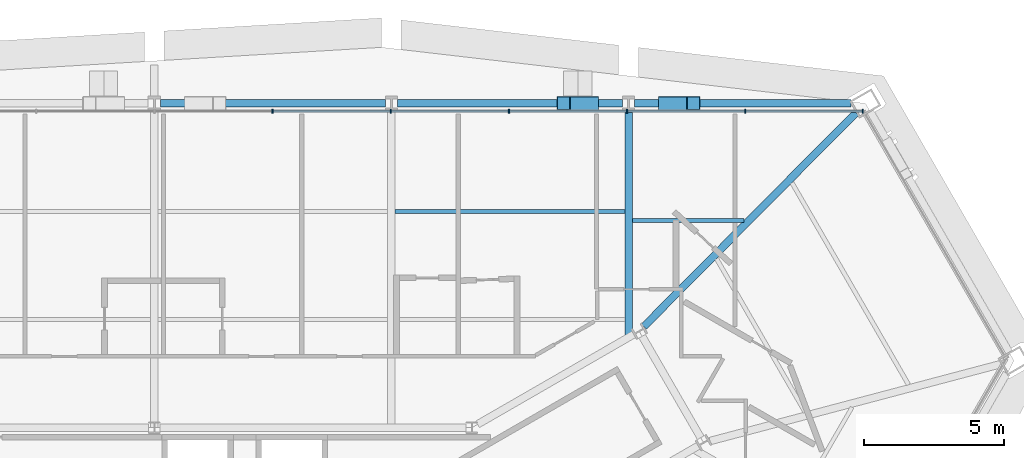
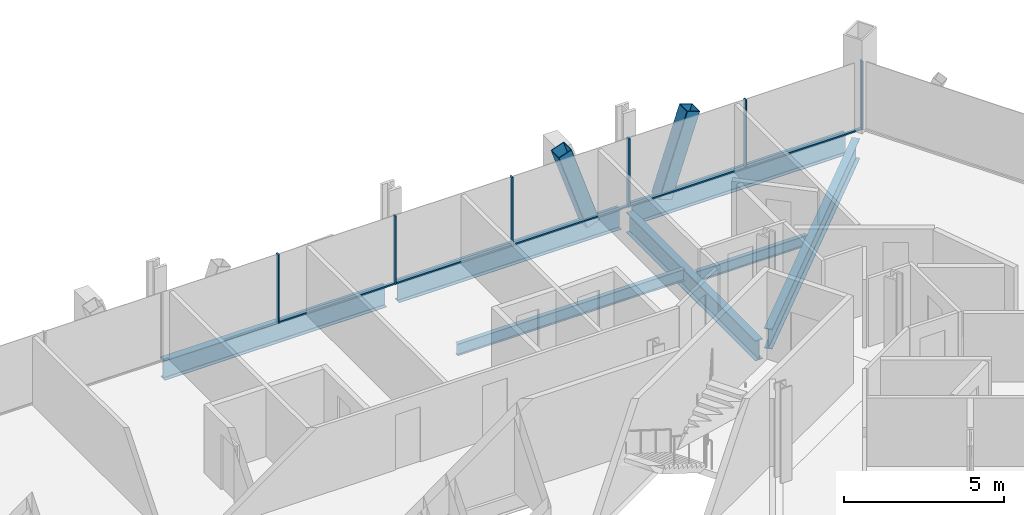
# One storey, part 8 of 17: 13 members, 7 beams, 1 element without a shape of its own.
"""IFC4 building model written with IfcOpenShell, lengths in metres."""

from ifc_helpers import new_model, si_unit, direction, frame, origin, origin_2d, place, context, subcontext, project, spatial, rectangle, hollow_rectangle, i_section, extrude, material, material_profile, profile_set, type_object, element, aggregate, save


model = new_model("IFC4")

# Units and contexts
model_context = context("Model", 3, precision=1e-05, world=origin(), true_north=direction((0.0, 1.0)))
body_context = subcontext(model_context, "Body", "Model", "MODEL_VIEW")
ifc_project = project(units=[si_unit("LENGTHUNIT", "METRE"), si_unit("AREAUNIT", "SQUARE_METRE"), si_unit("VOLUMEUNIT", "CUBIC_METRE"), si_unit("PLANEANGLEUNIT", "RADIAN"), si_unit("MASSUNIT", "GRAM", prefix="KILO")], contexts=[model_context])

# Site, building, storey
site_placement = place(None, origin())
site = spatial("IfcSite", under=ifc_project, at=site_placement, CompositionType="ELEMENT")
building_placement = place(site_placement, origin())
building = spatial("IfcBuilding", under=site, at=building_placement, Name="Verrane Prism Tower", CompositionType="ELEMENT")
storey_placement = place(building_placement, frame((0.0, 0.0, 40.39990234375)))
storey = spatial("IfcBuildingStorey", under=building, at=storey_placement, Name="L07", CompositionType="ELEMENT", Elevation=40.39990234375)

# Beam
ifc_material_1 = material(Name="Steel A992", Category="steel")
ifc_material_profile_1 = material_profile(ifc_material_1, i_section(OverallWidth=0.2666015625, OverallDepth=0.76708984375, WebThickness=0.014892578125, FlangeThickness=0.023681640625, FilletRadius=0.0166015625, at=origin_2d()), Name="W30x124")
ifc_profile_set_1 = profile_set([ifc_material_profile_1], Name="Steel A992")
beam_type_1 = type_object("IfcBeamType", Name="Corner girder W30x124", PredefinedType="BEAM", material=ifc_profile_set_1)
beam_1_placement = place(storey_placement, frame((25.04150390625, 20.43896484375, -0.603515625), z_axis=(-0.704479617192, -0.709724220356, 0.0), x_axis=(0.709724220356, -0.704479617192, 0.0)))
element("IfcBeam", 1, at=beam_1_placement, inside=storey, type_object=beam_type_1, Name="Corner girder L07", PredefinedType="BEAM", context=body_context, shape_type="SweptSolid", body=[
    extrude(i_section(OverallWidth=0.2666015625, OverallDepth=0.76708984375, WebThickness=0.014892578125, FlangeThickness=0.023681640625, FilletRadius=0.0166015625, at=origin_2d()), origin(), (0.0, 0.0, 1.0), 10.753173828125),
])

# Members
ifc_material_2 = material(Name="Steel A1085 Grade A", Category="steel")
ifc_material_profile_2 = material_profile(ifc_material_2, hollow_rectangle(XDim=0.508056640625, YDim=0.508056640625, WallThickness=0.025390625, InnerFilletRadius=0.0126953125, OuterFilletRadius=0.0380859375, at=origin_2d()), Name="HSS20x20x1")
ifc_profile_set_2 = profile_set([ifc_material_profile_2], Name="Steel A1085 Grade A")
member_type_1 = type_object("IfcMemberType", Name="Facade brace HSS20x20x1", PredefinedType="BRACE", material=ifc_profile_set_2)
member_1_placement = place(storey_placement, frame((18.226318359375, 20.77001953125, -0.242431640625), z_axis=(0.317958621026, 0.0, 0.948104590916), x_axis=(0.0, 1.0, 0.0)))
element("IfcMember", 2, at=member_1_placement, inside=storey, type_object=member_type_1, Name="Facade brace N0 L07", PredefinedType="BRACE", context=body_context, shape_type="SweptSolid", body=[
    extrude(hollow_rectangle(XDim=0.508056640625, YDim=0.508056640625, WallThickness=0.025390625, InnerFilletRadius=0.0126953125, OuterFilletRadius=0.0380859375, at=origin_2d()), origin(), (0.0, 0.0, 1.0), 3.172607421875),
])
member_2_placement = place(storey_placement, frame((15.612060546875, 20.77001953125, -0.242431640625), z_axis=(-0.318235263597, 0.0, 0.948011770498), x_axis=(0.0, -1.0, 0.0)))
element("IfcMember", 3, at=member_2_placement, inside=storey, type_object=member_type_1, Name="Facade brace N1 L07", PredefinedType="BRACE", context=body_context, shape_type="SweptSolid", body=[
    extrude(hollow_rectangle(XDim=0.508056640625, YDim=0.508056640625, WallThickness=0.025390625, InnerFilletRadius=0.0126953125, OuterFilletRadius=0.0380859375, at=origin_2d()), origin(), (0.0, 0.0, 1.0), 3.173095703125),
])

# Beams
ifc_material_3 = material(Name="Steel A992", Category="steel")
ifc_material_profile_3 = material_profile(ifc_material_3, i_section(OverallWidth=0.140380859375, OverallDepth=0.40380859375, WebThickness=0.007080078125, FlangeThickness=0.01123046875, FilletRadius=0.01025390625, at=origin_2d()), Name="W16x31")
ifc_profile_set_3 = profile_set([ifc_material_profile_3], Name="Steel A992")
beam_type_2 = type_object("IfcBeamType", Name="Floor beam W16x31", PredefinedType="BEAM", material=ifc_profile_set_3)
beam_2_placement = place(storey_placement, frame((17.053466796875, 16.594970703125, -0.36181640625), z_axis=(1.0, 0.0, 0.0), x_axis=(0.0, 1.0, 0.0)))
element("IfcBeam", 4, at=beam_2_placement, inside=storey, type_object=beam_type_2, Name="Floor beam L07", PredefinedType="BEAM", context=body_context, shape_type="SweptSolid", body=[
    extrude(i_section(OverallWidth=0.140380859375, OverallDepth=0.40380859375, WebThickness=0.007080078125, FlangeThickness=0.01123046875, FilletRadius=0.01025390625, at=origin_2d()), origin(), (0.0, 0.0, 1.0), 3.984130859375),
])
ifc_material_4 = material(Name="Steel A992", Category="steel")
ifc_material_profile_4 = material_profile(ifc_material_4, i_section(OverallWidth=0.15234375, OverallDepth=0.449462890625, WebThickness=0.007568359375, FlangeThickness=0.0107421875, FilletRadius=0.01025390625, at=origin_2d()), Name="W18x35")
ifc_profile_set_4 = profile_set([ifc_material_profile_4], Name="Steel A992")
beam_type_3 = type_object("IfcBeamType", Name="Floor beam W18x35", PredefinedType="BEAM", material=ifc_profile_set_4)
beam_3_placement = place(storey_placement, frame((8.593505859375, 16.913330078125, -0.384765625), z_axis=(1.0, 0.0, 0.0), x_axis=(0.0, 1.0, 0.0)))
element("IfcBeam", 5, at=beam_3_placement, inside=storey, type_object=beam_type_3, Name="Floor beam L07", PredefinedType="BEAM", context=body_context, shape_type="SweptSolid", body=[
    extrude(i_section(OverallWidth=0.15234375, OverallDepth=0.449462890625, WebThickness=0.007568359375, FlangeThickness=0.0107421875, FilletRadius=0.01025390625, at=origin_2d()), origin(), (0.0, 0.0, 1.0), 8.193115234375),
])

# Curtain wall, members
ifc_material_5 = material(Name="Aluminium framed insulated glazing", Category="aluminium")
curtain_wall_type = type_object("IfcCurtainWallType", Name="Curtain wall CW-C 4200 module", PredefinedType="NOTDEFINED", material=ifc_material_5)
curtain_wall_placement = place(storey_placement, origin())
curtain_wall = element("IfcCurtainWall", 6, at=curtain_wall_placement, inside=storey, type_object=curtain_wall_type, Name="Glazed curtain wall north face L07", PredefinedType="NOTDEFINED")
ifc_material_6 = material(Name="Aluminium alloy 6063-T6", Category="aluminium")
ifc_material_profile_5 = material_profile(ifc_material_6, rectangle(XDim=0.139892578125, YDim=0.050048828125, at=origin_2d()), Name="Mullion 50x140 aluminium")
ifc_profile_set_5 = profile_set([ifc_material_profile_5], Name="Aluminium alloy 6063-T6")
member_type_2 = type_object("IfcMemberType", Name="Mullion 50x140 aluminium", PredefinedType="MULLION", material=ifc_profile_set_5)
member_3_placement = place(storey_placement, frame((25.276611328125, 20.490966796875, 0.0), z_axis=(0.0, 0.0, 1.0), x_axis=(0.0, -1.0, 0.0)))
member_3 = element("IfcMember", 7, at=member_3_placement, type_object=member_type_2, Name="CW06.2 mullion 1", PredefinedType="MULLION", context=body_context, shape_type="SweptSolid", body=[
    extrude(rectangle(XDim=0.139892578125, YDim=0.050048828125, at=origin_2d()), origin(), (0.0, 0.0, 1.0), 2.613037109375),
])
member_4_placement = place(storey_placement, frame((21.084716796875, 20.490966796875, 0.0), z_axis=(0.0, 0.0, 1.0), x_axis=(0.0, -1.0, 0.0)))
member_4 = element("IfcMember", 8, at=member_4_placement, type_object=member_type_2, Name="CW06.2 mullion 2", PredefinedType="MULLION", context=body_context, shape_type="SweptSolid", body=[
    extrude(rectangle(XDim=0.139892578125, YDim=0.050048828125, at=origin_2d()), origin(), (0.0, 0.0, 1.0), 2.613037109375),
])
member_5_placement = place(storey_placement, frame((16.86767578125, 20.490966796875, 0.0), z_axis=(0.0, 0.0, 1.0), x_axis=(0.0, -1.0, 0.0)))
member_5 = element("IfcMember", 9, at=member_5_placement, type_object=member_type_2, Name="CW06.2 mullion 3", PredefinedType="MULLION", context=body_context, shape_type="SweptSolid", body=[
    extrude(rectangle(XDim=0.139892578125, YDim=0.050048828125, at=origin_2d()), origin(), (0.0, 0.0, 1.0), 2.613037109375),
])
member_6_placement = place(storey_placement, frame((12.65087890625, 20.490966796875, 0.0), z_axis=(0.0, 0.0, 1.0), x_axis=(0.0, -1.0, 0.0)))
member_6 = element("IfcMember", 10, at=member_6_placement, type_object=member_type_2, Name="CW06.2 mullion 4", PredefinedType="MULLION", context=body_context, shape_type="SweptSolid", body=[
    extrude(rectangle(XDim=0.139892578125, YDim=0.050048828125, at=origin_2d()), origin(), (0.0, 0.0, 1.0), 2.613037109375),
])
member_7_placement = place(storey_placement, frame((8.433837890625, 20.490966796875, 0.0), z_axis=(0.0, 0.0, 1.0), x_axis=(0.0, -1.0, 0.0)))
member_7 = element("IfcMember", 11, at=member_7_placement, type_object=member_type_2, Name="CW06.2 mullion 5", PredefinedType="MULLION", context=body_context, shape_type="SweptSolid", body=[
    extrude(rectangle(XDim=0.139892578125, YDim=0.050048828125, at=origin_2d()), origin(), (0.0, 0.0, 1.0), 2.613037109375),
])
member_8_placement = place(storey_placement, frame((4.217041015625, 20.490966796875, 0.0), z_axis=(0.0, 0.0, 1.0), x_axis=(0.0, -1.0, 0.0)))
member_8 = element("IfcMember", 12, at=member_8_placement, type_object=member_type_2, Name="CW06.2 mullion 6", PredefinedType="MULLION", context=body_context, shape_type="SweptSolid", body=[
    extrude(rectangle(XDim=0.139892578125, YDim=0.050048828125, at=origin_2d()), origin(), (0.0, 0.0, 1.0), 2.613037109375),
])

# Beams
ifc_material_7 = material(Name="Steel A992", Category="steel")
ifc_material_profile_6 = material_profile(ifc_material_7, i_section(OverallWidth=0.2666015625, OverallDepth=0.76708984375, WebThickness=0.014892578125, FlangeThickness=0.023681640625, FilletRadius=0.0166015625, at=origin_2d()), Name="W30x124")
ifc_profile_set_6 = profile_set([ifc_material_profile_6], Name="Steel A992")
beam_type_4 = type_object("IfcBeamType", Name="Radial girder W30x124", PredefinedType="BEAM", material=ifc_profile_set_6)
beam_4_placement = place(storey_placement, frame((16.919921875, 20.504638671875, -0.603515625), z_axis=(0.0, -1.0, 0.0), x_axis=(1.0, 0.0, 0.0)))
element("IfcBeam", 13, at=beam_4_placement, inside=storey, type_object=beam_type_4, Name="Radial girder L07", PredefinedType="BEAM", context=body_context, shape_type="SweptSolid", body=[
    extrude(i_section(OverallWidth=0.2666015625, OverallDepth=0.76708984375, WebThickness=0.014892578125, FlangeThickness=0.023681640625, FilletRadius=0.0166015625, at=origin_2d()), origin(), (0.0, 0.0, 1.0), 8.083740234375),
])
ifc_material_8 = material(Name="Steel A992", Category="steel")
ifc_material_profile_7 = material_profile(ifc_material_8, i_section(OverallWidth=0.2666015625, OverallDepth=0.7568359375, WebThickness=0.013916015625, FlangeThickness=0.019287109375, FilletRadius=0.0166015625, at=origin_2d()), Name="W30x108")
ifc_profile_set_7 = profile_set([ifc_material_profile_7], Name="Steel A992")
beam_type_5 = type_object("IfcBeamType", Name="Spandrel beam W30x108", PredefinedType="SPANDREL", material=ifc_profile_set_7)
beam_5_placement = place(storey_placement, frame((24.850341796875, 20.77001953125, -0.538330078125), z_axis=(-1.0, 0.0, 0.0), x_axis=(0.0, -1.0, 0.0)))
element("IfcBeam", 14, at=beam_5_placement, inside=storey, type_object=beam_type_5, Name="Spandrel beam L07", PredefinedType="SPANDREL", context=body_context, shape_type="SweptSolid", body=[
    extrude(i_section(OverallWidth=0.2666015625, OverallDepth=0.7568359375, WebThickness=0.013916015625, FlangeThickness=0.019287109375, FilletRadius=0.0166015625, at=origin_2d()), origin(), (0.0, 0.0, 1.0), 7.709228515625),
])
for number, where, z_axis, x_axis, name in (
    (15, (16.698974609375, 20.77001953125, -0.538330078125), (-1.0, 0.0, 0.0), (0.0, -1.0, 0.0), "Spandrel beam L07"),
    (16, (8.239013671875, 20.77001953125, -0.538330078125), (-1.0, 0.0, 0.0), (0.0, -1.0, 0.0), "Spandrel beam L07"),
):
    element("IfcBeam", number, at=place(storey_placement, frame(where, z_axis=z_axis, x_axis=x_axis)), inside=storey, type_object=beam_type_5, Name=name, PredefinedType="SPANDREL", context=body_context, shape_type="SweptSolid", body=[
        extrude(i_section(OverallWidth=0.2666015625, OverallDepth=0.7568359375, WebThickness=0.013916015625, FlangeThickness=0.019287109375, FilletRadius=0.0166015625, at=origin_2d()), origin(), (0.0, 0.0, 1.0), 8.01806640625),
    ])

# Member
ifc_material_9 = material(Name="Aluminium alloy 6063-T6", Category="aluminium")
ifc_material_profile_8 = material_profile(ifc_material_9, rectangle(XDim=0.10009765625, YDim=0.050048828125, at=origin_2d()), Name="Transom 50x100 aluminium")
ifc_profile_set_8 = profile_set([ifc_material_profile_8], Name="Aluminium alloy 6063-T6")
member_type_3 = type_object("IfcMemberType", Name="Transom 50x100 aluminium", PredefinedType="USERDEFINED", material=ifc_profile_set_8)
member_9_placement = place(storey_placement, frame((25.251708984375, 20.490966796875, 0.025146484375), z_axis=(-1.0, 0.0, 0.0), x_axis=(0.0, -1.0, 0.0)))
member_9 = element("IfcMember", 17, at=member_9_placement, type_object=member_type_3, Name="CW06.2 transom 1", ObjectType="TRANSOM", PredefinedType="USERDEFINED", context=body_context, shape_type="SweptSolid", body=[
    extrude(rectangle(XDim=0.10009765625, YDim=0.050048828125, at=origin_2d()), origin(), (0.0, 0.0, 1.0), 4.14208984375),
])

member_10_placement = place(storey_placement, frame((21.0595703125, 20.490966796875, 0.025146484375), z_axis=(-1.0, 0.0, 0.0), x_axis=(0.0, -1.0, 0.0)))
member_10 = element("IfcMember", 18, at=member_10_placement, type_object=member_type_3, Name="CW06.2 transom 2", ObjectType="TRANSOM", PredefinedType="USERDEFINED", context=body_context, shape_type="SweptSolid", body=[
    extrude(rectangle(XDim=0.10009765625, YDim=0.050048828125, at=origin_2d()), origin(), (0.0, 0.0, 1.0), 4.166748046875),
])

member_11_placement = place(storey_placement, frame((16.8427734375, 20.490966796875, 0.025146484375), z_axis=(-1.0, 0.0, 0.0), x_axis=(0.0, -1.0, 0.0)))
member_11 = element("IfcMember", 19, at=member_11_placement, type_object=member_type_3, Name="CW06.2 transom 3", ObjectType="TRANSOM", PredefinedType="USERDEFINED", context=body_context, shape_type="SweptSolid", body=[
    extrude(rectangle(XDim=0.10009765625, YDim=0.050048828125, at=origin_2d()), origin(), (0.0, 0.0, 1.0), 4.1669921875),
])

member_12_placement = place(storey_placement, frame((12.625732421875, 20.490966796875, 0.025146484375), z_axis=(-1.0, 0.0, 0.0), x_axis=(0.0, -1.0, 0.0)))
member_12 = element("IfcMember", 20, at=member_12_placement, type_object=member_type_3, Name="CW06.2 transom 4", ObjectType="TRANSOM", PredefinedType="USERDEFINED", context=body_context, shape_type="SweptSolid", body=[
    extrude(rectangle(XDim=0.10009765625, YDim=0.050048828125, at=origin_2d()), origin(), (0.0, 0.0, 1.0), 4.166748046875),
])

member_13_placement = place(storey_placement, frame((8.408935546875, 20.490966796875, 0.025146484375), z_axis=(-1.0, 0.0, 0.0), x_axis=(0.0, -1.0, 0.0)))
member_13 = element("IfcMember", 21, at=member_13_placement, type_object=member_type_3, Name="CW06.2 transom 5", ObjectType="TRANSOM", PredefinedType="USERDEFINED", context=body_context, shape_type="SweptSolid", body=[
    extrude(rectangle(XDim=0.10009765625, YDim=0.050048828125, at=origin_2d()), origin(), (0.0, 0.0, 1.0), 4.1669921875),
])

aggregate(curtain_wall, [member_3, member_4, member_5, member_6, member_7, member_8, member_9, member_10, member_11, member_12, member_13])

save(model, "model.ifc")
